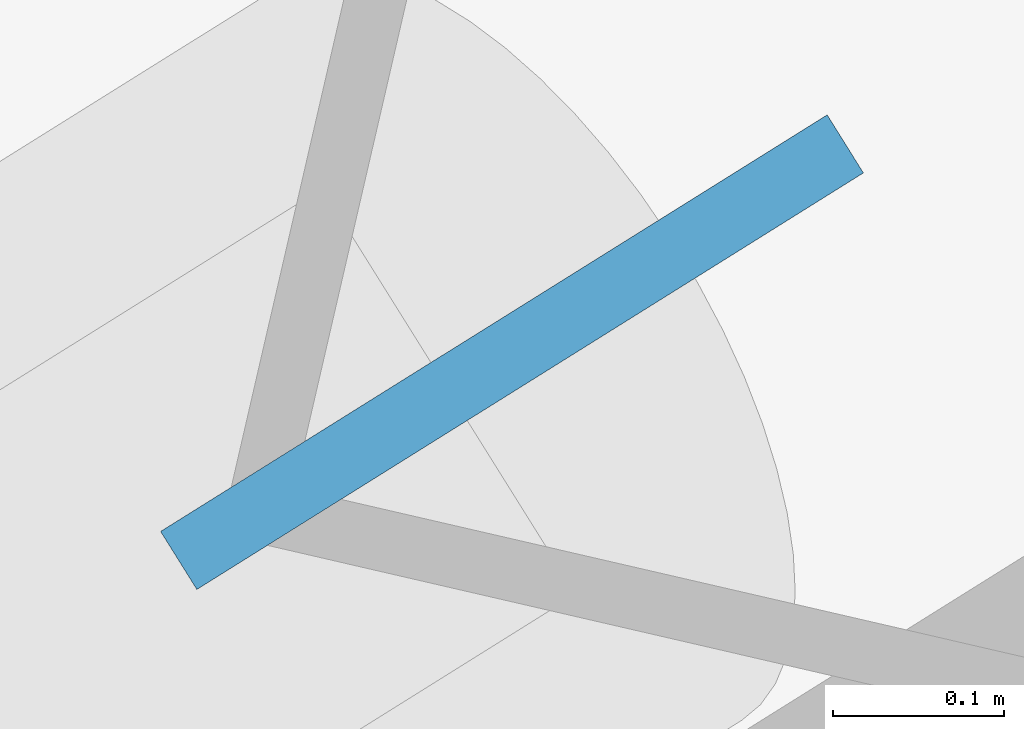
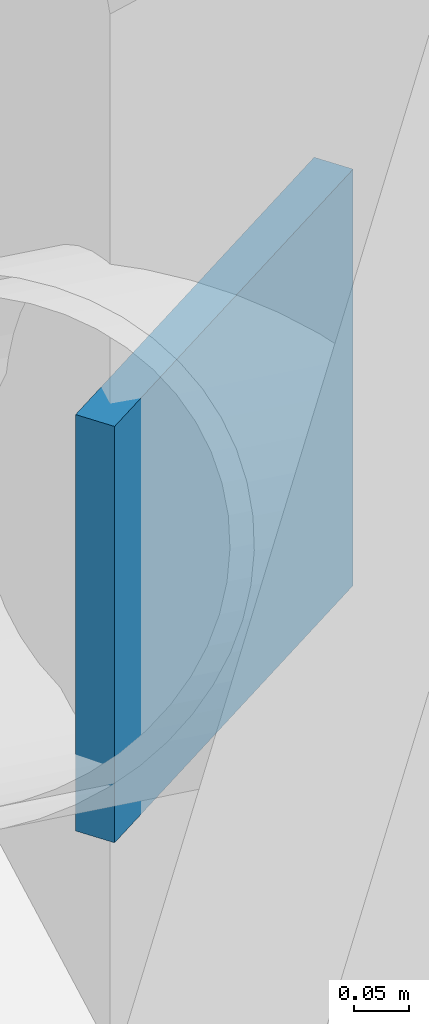
# One storey, part 16 of 20: 1 discrete accessory.
"""IFC4 building model written with IfcOpenShell, lengths in metres."""

from ifc_helpers import new_model, si_unit, direction, frame, origin, origin_2d, place, context, subcontext, project, spatial, rectangle, extrude, material, type_object, element, save


model = new_model("IFC4")

# Units and contexts
model_context = context("Model", 3, precision=1e-05, world=origin(), true_north=direction((0.0, 1.0)))
body_context = subcontext(model_context, "Body", "Model", "MODEL_VIEW")
ifc_project = project(units=[si_unit("LENGTHUNIT", "METRE"), si_unit("AREAUNIT", "SQUARE_METRE"), si_unit("VOLUMEUNIT", "CUBIC_METRE"), si_unit("PLANEANGLEUNIT", "RADIAN"), si_unit("MASSUNIT", "GRAM", prefix="KILO")], contexts=[model_context])

# Site, building, storey
site_placement = place(None, origin())
site = spatial("IfcSite", under=ifc_project, at=site_placement, CompositionType="ELEMENT")
building_placement = place(site_placement, origin())
building = spatial("IfcBuilding", under=site, at=building_placement, Name="Tavrogorsk Clinical Tower", CompositionType="ELEMENT")
storey_placement = place(building_placement, frame((0.0, 0.0, 13.39990234375)))
storey = spatial("IfcBuildingStorey", under=building, at=storey_placement, Name="L02", CompositionType="ELEMENT", Elevation=13.39990234375)

# Discrete accessory
ifc_material = material(Name="Structural steel S440", Category="steel")
discrete_accessory_type = type_object("IfcDiscreteAccessoryType", Name="GussetPlateBracket_25", PredefinedType="BRACKET", material=ifc_material)
discrete_accessory_placement = place(storey_placement, frame((-30.348876953125, 29.96337890625, 0.25341796875), z_axis=(0.0, 0.0, 1.0), x_axis=(-0.848048096156, -0.529919264233, 0.0)))
element("IfcDiscreteAccessory", 1, at=discrete_accessory_placement, inside=storey, type_object=discrete_accessory_type, Name="L02 Brace Gusset Plate EXOCRN-L02-3-A", PredefinedType="BRACKET", context=body_context, shape_type="SweptSolid", body=[
    extrude(rectangle(XDim=0.4599609375, YDim=0.0400390625, at=origin_2d()), origin(), (0.0, 0.0, 1.0), 0.4599609375),
])

save(model, "model.ifc")
